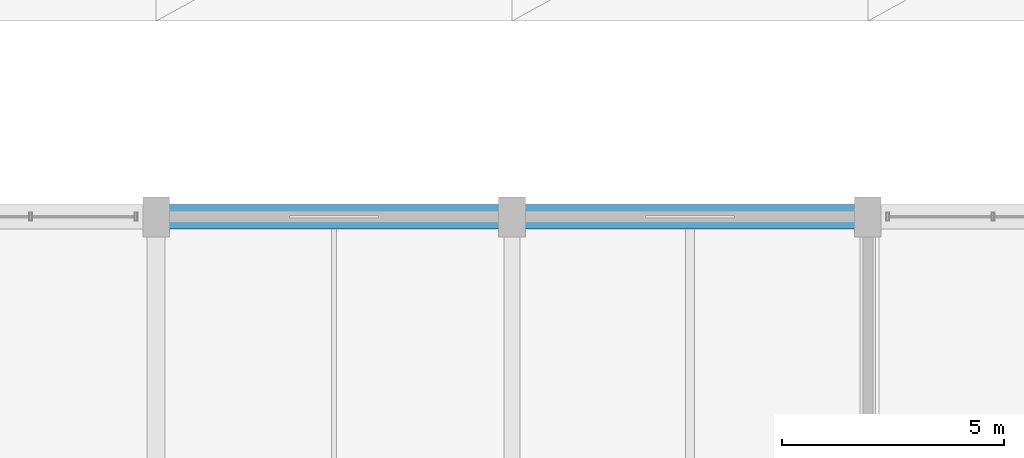
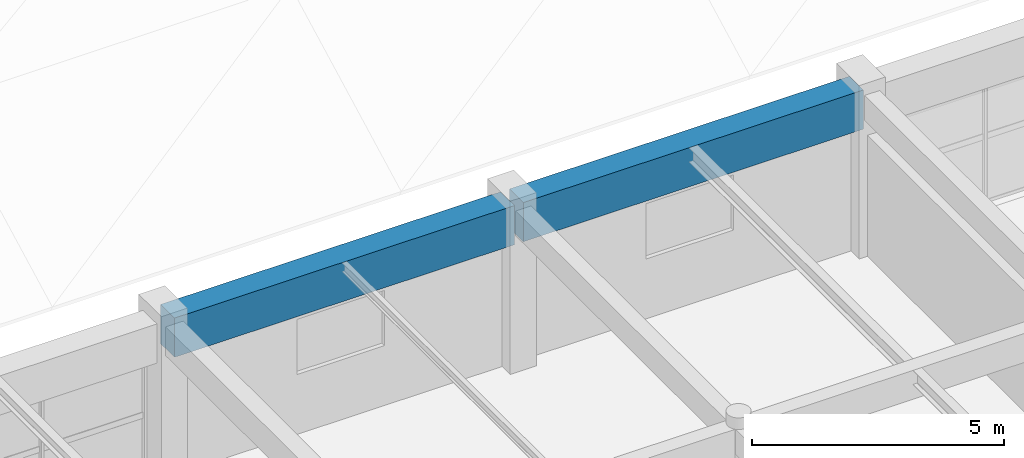
# One storey, part 26 of 63: 2 beams.
"""IFC4 building model written with IfcOpenShell, lengths in metres."""

from ifc_helpers import new_model, si_unit, direction, frame, origin, origin_2d, place, context, subcontext, project, spatial, rectangle, extrude, material, material_profile, profile_set, type_object, element, save


model = new_model("IFC4")

# Units and contexts
model_context = context("Model", 3, precision=1e-05, world=origin(), true_north=direction((0.0, 1.0)))
body_context = subcontext(model_context, "Body", "Model", "MODEL_VIEW")
ifc_project = project(units=[si_unit("LENGTHUNIT", "METRE"), si_unit("AREAUNIT", "SQUARE_METRE"), si_unit("VOLUMEUNIT", "CUBIC_METRE"), si_unit("PLANEANGLEUNIT", "RADIAN"), si_unit("MASSUNIT", "GRAM", prefix="KILO")], contexts=[model_context])

# Site, building, storey
site_placement = place(None, origin())
site = spatial("IfcSite", under=ifc_project, at=site_placement, CompositionType="ELEMENT")
building_placement = place(site_placement, origin())
building = spatial("IfcBuilding", under=site, at=building_placement, Name="Varnabhumi Central Station", CompositionType="ELEMENT")
storey_placement = place(building_placement, frame((0.0, 0.0, 20.39990234375)))
storey = spatial("IfcBuildingStorey", under=building, at=storey_placement, Name="L04", CompositionType="ELEMENT", Elevation=20.39990234375)

# Beams
ifc_material = material(Name="Concrete M40", Category="concrete")
ifc_material_profile = material_profile(ifc_material, rectangle(XDim=0.550048828125, YDim=0.949951171875, at=origin_2d()), Name="Concrete M40", Category="concrete")
ifc_profile_set = profile_set([ifc_material_profile], Name="Concrete M40")
beam_type = type_object("IfcBeamType", Name="BM-RC-550x950", PredefinedType="BEAM", material=ifc_profile_set)
for number, where, z_axis, x_axis, name in (
    (1, (136.10009765625, 36.0, 3.445068359375), (1.0, 0.0, 0.0), (0.0, 1.0, 0.0), "Beam L04-E:18-19"),
    (2, (144.10009765625, 36.0, 3.445068359375), (1.0, 0.0, 0.0), (0.0, 1.0, 0.0), "Beam L04-E:19-20"),
):
    element("IfcBeam", number, at=place(storey_placement, frame(where, z_axis=z_axis, x_axis=x_axis)), inside=storey, type_object=beam_type, Name=name, PredefinedType="BEAM", context=body_context, shape_type="SweptSolid", body=[
        extrude(rectangle(XDim=0.550048828125, YDim=0.949951171875, at=origin_2d()), origin(), (0.0, 0.0, 1.0), 7.7998046875),
    ])

save(model, "model.ifc")
